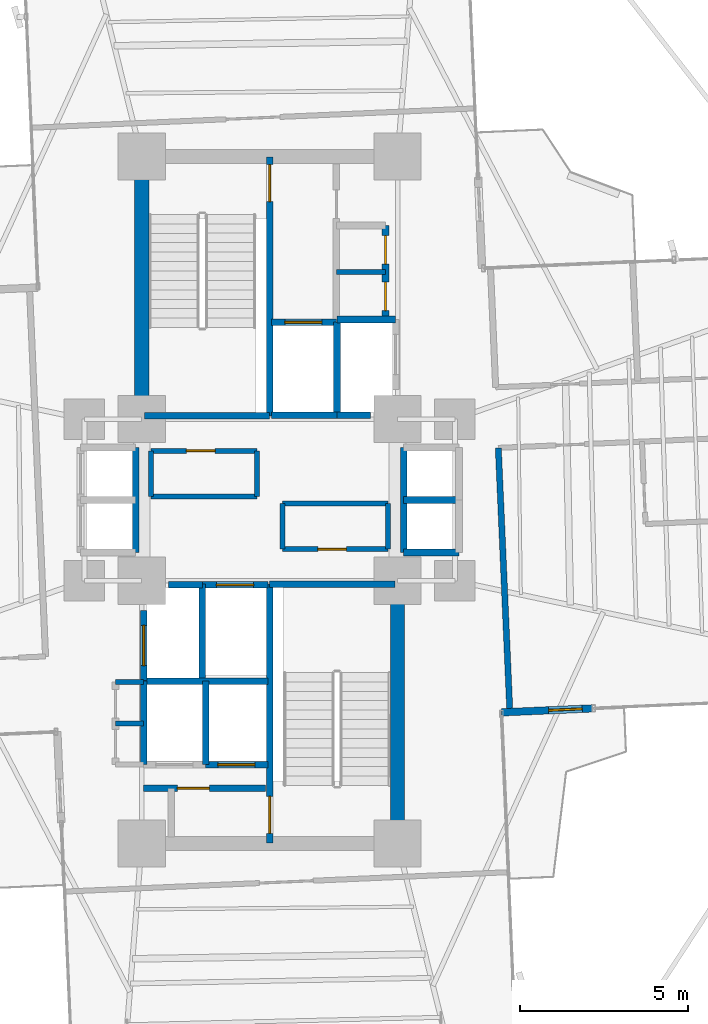
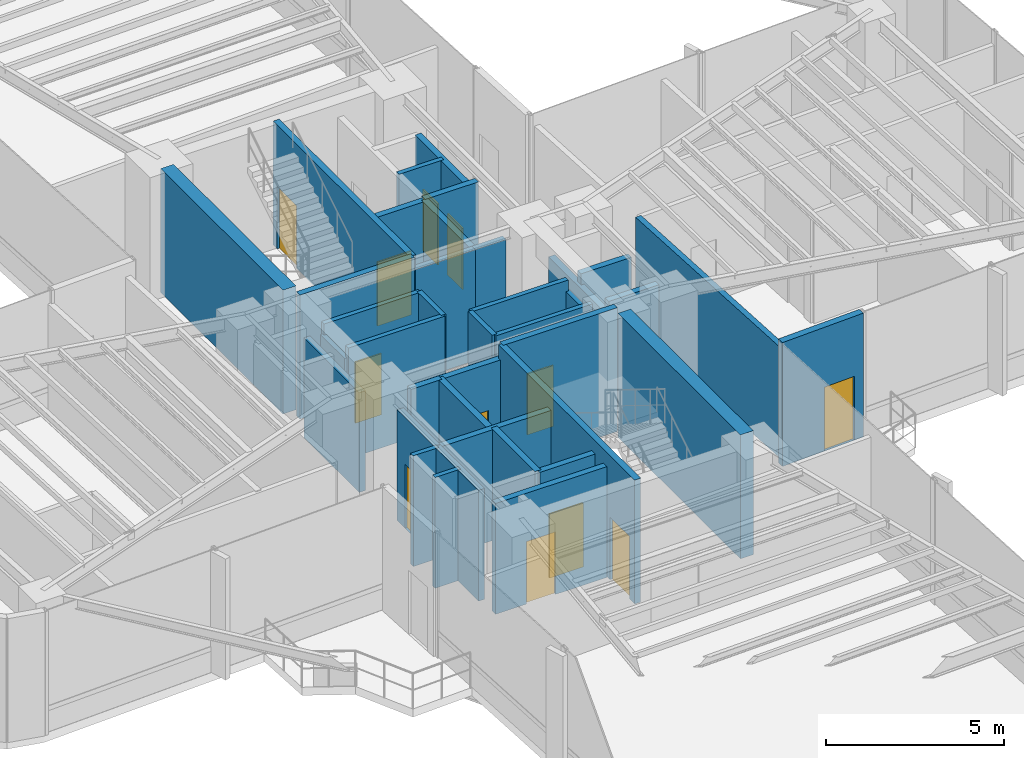
# One storey, part 20 of 23: 38 walls, 12 doors, 12 openings.
"""IFC4 building model written with IfcOpenShell, lengths in metres."""

from ifc_helpers import new_model, si_unit, direction, frame, frame_2d, origin, origin_2d, place, context, subcontext, project, spatial, rectangle, extrude, source, transform, mapped, material, layer, layer_set, type_object, element, fill, save


model = new_model("IFC4")

# Units and contexts
model_context = context("Model", 3, precision=1e-05, world=origin(), true_north=direction((0.0, 1.0)))
body_context = subcontext(model_context, "Body", "Model", "MODEL_VIEW")
ifc_project = project(units=[si_unit("LENGTHUNIT", "METRE"), si_unit("AREAUNIT", "SQUARE_METRE"), si_unit("VOLUMEUNIT", "CUBIC_METRE"), si_unit("PLANEANGLEUNIT", "RADIAN"), si_unit("MASSUNIT", "GRAM", prefix="KILO")], contexts=[model_context])

# Site, building, storey
site_placement = place(None, origin())
site = spatial("IfcSite", under=ifc_project, at=site_placement, CompositionType="ELEMENT")
building_placement = place(site_placement, origin())
building = spatial("IfcBuilding", under=site, at=building_placement, Name="Sahyath Konkavel Grand Hotel", CompositionType="ELEMENT")
storey_placement = place(building_placement, frame((0.0, 0.0, 106.949951171875)))
storey = spatial("IfcBuildingStorey", under=building, at=storey_placement, Name="L29", CompositionType="ELEMENT", Elevation=106.949951171875)

# Walls
ifc_material_1 = material(Name="Concrete C50/60", Category="concrete")
ifc_layer_1 = layer(ifc_material_1, 0.419921875)
ifc_layer_set_1 = layer_set([ifc_layer_1], Name="Concrete C50/60")
wall_type_1 = type_object("IfcWallType", Name="CWALL-420", PredefinedType="SHEAR", material=ifc_layer_set_1)
for number, where, z_axis, x_axis, name in (
    (1, (-3.800048828125, 2.85009765625, 0.0), (0.0, 0.0, 1.0), (0.0, 1.0, 0.0), "L29 North Core Shear Wall W"),
    (2, (3.800048828125, -9.75, 0.0), (0.0, 0.0, 1.0), (0.0, 1.0, 0.0), "L29 South Core Shear Wall E"),
):
    element("IfcWall", number, at=place(storey_placement, frame(where, z_axis=z_axis, x_axis=x_axis)), inside=storey, type_object=wall_type_1, Name=name, PredefinedType="SHEAR", context=body_context, shape_type="SweptSolid", body=[
        extrude(rectangle(XDim=6.89990234375, YDim=0.419921875, at=frame_2d((3.449951171875, 0.0))), origin(), (0.0, 0.0, 1.0), 4.260009765625),
    ])

# Wall, opening, door
ifc_material_2 = material(Name="Warm Buff Sandstone Insulated Concrete C40/50", Category="masonry")
ifc_layer_2 = layer(ifc_material_2, 0.219970703125)
ifc_layer_set_2 = layer_set([ifc_layer_2], Name="Warm Buff Sandstone Insulated Concrete C40/50")
wall_type_2 = type_object("IfcWallType", Name="WLL-BALC-THRESH", PredefinedType="STANDARD", material=ifc_layer_set_2)
wall_1_placement = place(storey_placement, frame((6.881591796875, -6.305908203125, 0.0), z_axis=(0.0, 0.0, 1.0), x_axis=(0.999045894436, 0.043672655174, 0.0)))
wall_1 = element("IfcWall", 3, at=wall_1_placement, inside=storey, type_object=wall_type_2, Name="L29 Winter-Garden Threshold Wall 0", PredefinedType="STANDARD", context=body_context, shape_type="SweptSolid", body=[
    extrude(rectangle(XDim=2.7001953125, YDim=0.219970703125, at=frame_2d((1.35009765625, 0.0))), origin(), (0.0, 0.0, 1.0), 4.260009765625),
])
opening_1_placement = place(wall_1_placement, frame((1.39990234375, 0.0, 0.0)))
opening_1 = element("IfcOpeningElement", 4, at=opening_1_placement, cuts=wall_1, Name="Opening D-TR1", PredefinedType="OPENING", context=body_context, shape_type="SweptSolid", body=[
    extrude(rectangle(XDim=1.0, YDim=2.199951171875, at=frame_2d((0.5, 1.10009765625))), frame((0.0, 0.1201171875, 0.0), z_axis=(0.0, -1.0, 0.0), x_axis=(1.0, 0.0, 0.0)), (0.0, 0.0, 1.0), 0.239990234375),
])
ifc_material_3 = material(Name="Anodised Bronze Aluminium & Low-E Glazing", Category="aluminium")
door_type_1 = type_object("IfcDoorType", Name="DR-TERRACE-1000", OperationType="NOTDEFINED", PredefinedType="DOOR", material=ifc_material_3)
shared_shape_1 = source(origin(), body_context, "Body", "SweptSolid", [
    extrude(rectangle(XDim=1.0, YDim=0.050048828125, at=origin_2d()), origin(), (0.0, 0.0, 1.0), 2.199951171875),
])
door_1_placement = place(opening_1_placement, frame((0.5, 0.0, 0.0)))
door_1 = element("IfcDoor", 5, at=door_1_placement, inside=storey, type_object=door_type_1, Name="L29 Winter-Garden Terrace Door 0", OperationType="SINGLE_SWING_LEFT", OverallHeight=2.199951171875, OverallWidth=1.0, PredefinedType="DOOR", context=body_context, shape_type="MappedRepresentation", body=[
    mapped(shared_shape_1, transform((0.0, 0.0, 0.0), scale=1.0)),
])
fill(opening_1, door_1)

ifc_material_4 = material(Name="Concrete C40/50", Category="concrete")
ifc_layer_3 = layer(ifc_material_4, 0.199951171875)
ifc_layer_set_3 = layer_set([ifc_layer_3], Name="Concrete C40/50")
wall_type_3 = type_object("IfcWallType", Name="WLL-CORE-200", PredefinedType="SOLIDWALL", material=ifc_layer_set_3)
wall_2_placement = place(storey_placement, frame((0.0, 2.5, 0.0), z_axis=(0.0, 0.0, 1.0), x_axis=(0.0, 1.0, 0.0)))
wall_2 = element("IfcWall", 6, at=wall_2_placement, inside=storey, type_object=wall_type_3, Name="L29 Stair ST-1 Shaft Wall E", PredefinedType="SOLIDWALL", context=body_context, shape_type="SweptSolid", body=[
    extrude(rectangle(XDim=7.679931640625, YDim=0.199951171875, at=frame_2d((3.83984375, 0.0))), origin(), (0.0, 0.0, 1.0), 4.260009765625),
])
opening_2_placement = place(wall_2_placement, frame((6.360107421875, 0.0, 0.0)))
opening_2 = element("IfcOpeningElement", 7, at=opening_2_placement, cuts=wall_2, Name="Opening D-F12B", PredefinedType="OPENING", context=body_context, shape_type="SweptSolid", body=[
    extrude(rectangle(XDim=1.10009765625, YDim=2.14990234375, at=frame_2d((0.550048828125, 1.074951171875))), frame((0.0, 0.10986328125, 0.0), z_axis=(0.0, -1.0, 0.0), x_axis=(1.0, 0.0, 0.0)), (0.0, 0.0, 1.0), 0.219970703125),
])
ifc_material_5 = material(Name="Steel E350 Smokeproof Fire Door", Category="steel")
door_type_2 = type_object("IfcDoorType", Name="DR-FD120-1100", OperationType="NOTDEFINED", PredefinedType="DOOR", material=ifc_material_5)
shared_shape_2 = source(origin(), body_context, "Body", "SweptSolid", [
    extrude(rectangle(XDim=1.10009765625, YDim=0.050048828125, at=origin_2d()), origin(), (0.0, 0.0, 1.0), 2.14990234375),
])
door_2_placement = place(opening_2_placement, frame((0.550048828125, 0.0, 0.0)))
door_2 = element("IfcDoor", 8, at=door_2_placement, inside=storey, type_object=door_type_2, Name="L29 Stair ST-1 Fire Door", OperationType="SINGLE_SWING_LEFT", OverallHeight=2.14990234375, OverallWidth=1.10009765625, PredefinedType="DOOR", context=body_context, shape_type="MappedRepresentation", body=[
    mapped(shared_shape_2, transform((0.0, 0.0, 0.0), scale=1.0)),
])
fill(opening_2, door_2)

# Wall
wall_3_placement = place(storey_placement, frame((-3.719970703125, 2.5, 0.0), z_axis=(0.0, 0.0, 1.0), x_axis=(1.0, 0.0, 0.0)))
element("IfcWall", 9, at=wall_3_placement, inside=storey, type_object=wall_type_3, Name="L29 Stair ST-1 Shaft Wall S", PredefinedType="SOLIDWALL", context=body_context, shape_type="SweptSolid", body=[
    extrude(rectangle(XDim=3.719970703125, YDim=0.199951171875, at=frame_2d((1.85986328125, 0.0))), origin(), (0.0, 0.0, 1.0), 4.260009765625),
])

# Wall, opening, door
wall_4_placement = place(storey_placement, frame((0.0, -10.179931640625, 0.0), z_axis=(0.0, 0.0, 1.0), x_axis=(0.0, 1.0, 0.0)))
wall_4 = element("IfcWall", 10, at=wall_4_placement, inside=storey, type_object=wall_type_3, Name="L29 Stair ST-2 Shaft Wall W", PredefinedType="SOLIDWALL", context=body_context, shape_type="SweptSolid", body=[
    extrude(rectangle(XDim=7.679931640625, YDim=0.199951171875, at=frame_2d((3.83984375, 0.0))), origin(), (0.0, 0.0, 1.0), 4.260009765625),
])
opening_3_placement = place(wall_4_placement, frame((0.280029296875, 0.0, 0.0)))
opening_3 = element("IfcOpeningElement", 11, at=opening_3_placement, cuts=wall_4, Name="Opening D-F12B", PredefinedType="OPENING", context=body_context, shape_type="SweptSolid", body=[
    extrude(rectangle(XDim=1.10009765625, YDim=2.14990234375, at=frame_2d((0.550048828125, 1.074951171875))), frame((0.0, 0.10986328125, 0.0), z_axis=(0.0, -1.0, 0.0), x_axis=(1.0, 0.0, 0.0)), (0.0, 0.0, 1.0), 0.219970703125),
])
door_3_placement = place(opening_3_placement, frame((0.550048828125, 0.0, 0.0)))
door_3 = element("IfcDoor", 12, at=door_3_placement, inside=storey, type_object=door_type_2, Name="L29 Stair ST-2 Fire Door", OperationType="SINGLE_SWING_RIGHT", OverallHeight=2.14990234375, OverallWidth=1.10009765625, PredefinedType="DOOR", context=body_context, shape_type="MappedRepresentation", body=[
    mapped(shared_shape_2, transform((0.0, 0.0, 0.0), scale=1.0)),
])
fill(opening_3, door_3)

# Walls
wall_5_placement = place(storey_placement, frame((0.0, -2.5, 0.0), z_axis=(0.0, 0.0, 1.0), x_axis=(1.0, 0.0, 0.0)))
element("IfcWall", 13, at=wall_5_placement, inside=storey, type_object=wall_type_3, Name="L29 Stair ST-2 Shaft Wall N", PredefinedType="SOLIDWALL", context=body_context, shape_type="SweptSolid", body=[
    extrude(rectangle(XDim=3.719970703125, YDim=0.199951171875, at=frame_2d((1.85986328125, 0.0))), origin(), (0.0, 0.0, 1.0), 4.260009765625),
])
wall_6_placement = place(storey_placement, frame((2.0, 2.5, 0.0), z_axis=(0.0, 0.0, 1.0), x_axis=(0.0, 1.0, 0.0)))
element("IfcWall", 14, at=wall_6_placement, inside=storey, type_object=wall_type_3, Name="L29 Partition SH-FFL1-E", PredefinedType="SOLIDWALL", context=body_context, shape_type="SweptSolid", body=[
    extrude(rectangle(XDim=2.780029296875, YDim=0.199951171875, at=frame_2d((1.39013671875, 0.0))), origin(), (0.0, 0.0, 1.0), 3.81005859375),
])
wall_7_placement = place(storey_placement, frame((0.050048828125, 2.52001953125, 0.0), z_axis=(0.0, 0.0, 1.0), x_axis=(1.0, 0.0, 0.0)))
element("IfcWall", 15, at=wall_7_placement, inside=storey, type_object=wall_type_3, Name="L29 Partition SH-FFL1-S", PredefinedType="SOLIDWALL", context=body_context, shape_type="SweptSolid", body=[
    extrude(rectangle(XDim=1.949951171875, YDim=0.199951171875, at=frame_2d((0.97509765625, 0.0))), origin(), (0.0, 0.0, 1.0), 3.81005859375),
])

# Wall, opening, door
wall_8_placement = place(storey_placement, frame((0.050048828125, 5.280029296875, 0.0), z_axis=(0.0, 0.0, 1.0), x_axis=(1.0, 0.0, 0.0)))
wall_8 = element("IfcWall", 16, at=wall_8_placement, inside=storey, type_object=wall_type_3, Name="L29 Partition SH-FFL1-N", PredefinedType="SOLIDWALL", context=body_context, shape_type="SweptSolid", body=[
    extrude(rectangle(XDim=1.929931640625, YDim=0.199951171875, at=frame_2d((0.96484375, 0.0))), origin(), (0.0, 0.0, 1.0), 3.81005859375),
])
opening_4_placement = place(wall_8_placement, frame((0.39990234375, 0.0, 0.0)))
opening_4 = element("IfcOpeningElement", 17, at=opening_4_placement, cuts=wall_8, Name="Opening LD-11", PredefinedType="OPENING", context=body_context, shape_type="SweptSolid", body=[
    extrude(rectangle(XDim=1.10009765625, YDim=2.199951171875, at=frame_2d((0.550048828125, 1.10009765625))), frame((0.0, 0.10986328125, 0.0), z_axis=(0.0, -1.0, 0.0), x_axis=(1.0, 0.0, 0.0)), (0.0, 0.0, 1.0), 0.219970703125),
])
ifc_material_6 = material(Name="Bronze Lift Landing Door 1100")
door_type_3 = type_object("IfcDoorType", Name="DR-LIFT-1100", OperationType="DOUBLE_DOOR_SLIDING", PredefinedType="DOOR", material=ifc_material_6)
shared_shape_3 = source(origin(), body_context, "Body", "SweptSolid", [
    extrude(rectangle(XDim=1.10009765625, YDim=0.050048828125, at=origin_2d()), origin(), (0.0, 0.0, 1.0), 2.199951171875),
])
door_4_placement = place(opening_4_placement, frame((0.550048828125, 0.0, 0.0)))
door_4 = element("IfcDoor", 18, at=door_4_placement, inside=storey, type_object=door_type_3, Name="L29 Lift FFL-1 Landing Door", OperationType="DOUBLE_DOOR_SLIDING", OverallHeight=2.199951171875, OverallWidth=1.10009765625, PredefinedType="DOOR", context=body_context, shape_type="MappedRepresentation", body=[
    mapped(shared_shape_3, transform((0.0, 0.0, 0.0), scale=1.0)),
])
fill(opening_4, door_4)

# Wall
wall_9_placement = place(storey_placement, frame((-2.0, -5.280029296875, 0.0), z_axis=(0.0, 0.0, 1.0), x_axis=(0.0, 1.0, 0.0)))
element("IfcWall", 19, at=wall_9_placement, inside=storey, type_object=wall_type_3, Name="L29 Partition SH-FFL2-W", PredefinedType="SOLIDWALL", context=body_context, shape_type="SweptSolid", body=[
    extrude(rectangle(XDim=2.780029296875, YDim=0.199951171875, at=frame_2d((1.39013671875, 0.0))), origin(), (0.0, 0.0, 1.0), 3.81005859375),
])

# Wall, opening, door
wall_10_placement = place(storey_placement, frame((-2.0, -2.52001953125, 0.0), z_axis=(0.0, 0.0, 1.0), x_axis=(1.0, 0.0, 0.0)))
wall_10 = element("IfcWall", 20, at=wall_10_placement, inside=storey, type_object=wall_type_3, Name="L29 Partition SH-FFL2-N", PredefinedType="SOLIDWALL", context=body_context, shape_type="SweptSolid", body=[
    extrude(rectangle(XDim=1.949951171875, YDim=0.199951171875, at=frame_2d((0.97509765625, 0.0))), origin(), (0.0, 0.0, 1.0), 3.81005859375),
])
opening_5_placement = place(wall_10_placement, frame((0.419921875, 0.0, 0.0)))
opening_5 = element("IfcOpeningElement", 21, at=opening_5_placement, cuts=wall_10, Name="Opening LD-11", PredefinedType="OPENING", context=body_context, shape_type="SweptSolid", body=[
    extrude(rectangle(XDim=1.10009765625, YDim=2.199951171875, at=frame_2d((0.550048828125, 1.10009765625))), frame((0.0, 0.10986328125, 0.0), z_axis=(0.0, -1.0, 0.0), x_axis=(1.0, 0.0, 0.0)), (0.0, 0.0, 1.0), 0.219970703125),
])
door_5_placement = place(opening_5_placement, frame((0.550048828125, 0.0, 0.0)))
door_5 = element("IfcDoor", 22, at=door_5_placement, inside=storey, type_object=door_type_3, Name="L29 Lift FFL-2 Landing Door", OperationType="DOUBLE_DOOR_SLIDING", OverallHeight=2.199951171875, OverallWidth=1.10009765625, PredefinedType="DOOR", context=body_context, shape_type="MappedRepresentation", body=[
    mapped(shared_shape_3, transform((0.0, 0.0, 0.0), scale=1.0)),
])
fill(opening_5, door_5)

# Walls
wall_11_placement = place(storey_placement, frame((2.0, 2.52001953125, 0.0), z_axis=(0.0, 0.0, 1.0), x_axis=(1.0, 0.0, 0.0)))
element("IfcWall", 23, at=wall_11_placement, inside=storey, type_object=wall_type_3, Name="L29 Partition SH-SVL1-S", PredefinedType="SOLIDWALL", context=body_context, shape_type="SweptSolid", body=[
    extrude(rectangle(XDim=1.0, YDim=0.199951171875, at=frame_2d((0.5, 0.0))), origin(), (0.0, 0.0, 1.0), 3.81005859375),
])
wall_12_placement = place(storey_placement, frame((2.0, 5.360107421875, 0.0), z_axis=(0.0, 0.0, 1.0), x_axis=(1.0, 0.0, 0.0)))
element("IfcWall", 24, at=wall_12_placement, inside=storey, type_object=wall_type_3, Name="L29 Partition SH-SVL1-N", PredefinedType="SOLIDWALL", context=body_context, shape_type="SweptSolid", body=[
    extrude(rectangle(XDim=1.739990234375, YDim=0.199951171875, at=frame_2d((0.8701171875, 0.0))), origin(), (0.0, 0.0, 1.0), 3.81005859375),
])
wall_13_placement = place(storey_placement, frame((-3.0, -2.52001953125, 0.0), z_axis=(0.0, 0.0, 1.0), x_axis=(1.0, 0.0, 0.0)))
element("IfcWall", 25, at=wall_13_placement, inside=storey, type_object=wall_type_3, Name="L29 Partition SH-SVL2-N", PredefinedType="SOLIDWALL", context=body_context, shape_type="SweptSolid", body=[
    extrude(rectangle(XDim=1.0, YDim=0.199951171875, at=frame_2d((0.5, 0.0))), origin(), (0.0, 0.0, 1.0), 3.81005859375),
])

# Wall, opening, door
wall_14_placement = place(storey_placement, frame((-3.739990234375, -5.360107421875, 0.0), z_axis=(0.0, 0.0, 1.0), x_axis=(0.0, 1.0, 0.0)))
wall_14 = element("IfcWall", 26, at=wall_14_placement, inside=storey, type_object=wall_type_3, Name="L29 Partition SH-SVL2-W", PredefinedType="SOLIDWALL", context=body_context, shape_type="SweptSolid", body=[
    extrude(rectangle(XDim=2.080078125, YDim=0.199951171875, at=frame_2d((1.0400390625, 0.0))), origin(), (0.0, 0.0, 1.0), 3.81005859375),
])
opening_6_placement = place(wall_14_placement, frame((0.43994140625, 0.0, 0.0)))
opening_6 = element("IfcOpeningElement", 27, at=opening_6_placement, cuts=wall_14, Name="Opening LD-12", PredefinedType="OPENING", context=body_context, shape_type="SweptSolid", body=[
    extrude(rectangle(XDim=1.199951171875, YDim=2.199951171875, at=frame_2d((0.60009765625, 1.10009765625))), frame((0.0, 0.10986328125, 0.0), z_axis=(0.0, -1.0, 0.0), x_axis=(1.0, 0.0, 0.0)), (0.0, 0.0, 1.0), 0.219970703125),
])
ifc_material_7 = material(Name="Stainless Steel Lift Landing Door 1200", Category="steel")
door_type_4 = type_object("IfcDoorType", Name="DR-LIFT-1200", OperationType="DOUBLE_DOOR_SLIDING", PredefinedType="DOOR", material=ifc_material_7)
shared_shape_4 = source(origin(), body_context, "Body", "SweptSolid", [
    extrude(rectangle(XDim=1.199951171875, YDim=0.050048828125, at=origin_2d()), origin(), (0.0, 0.0, 1.0), 2.199951171875),
])
door_6_placement = place(opening_6_placement, frame((0.60009765625, 0.0, 0.0)))
door_6 = element("IfcDoor", 28, at=door_6_placement, inside=storey, type_object=door_type_4, Name="L29 Service Lift SVL-2 Landing Door", OperationType="DOUBLE_DOOR_SLIDING", OverallHeight=2.199951171875, OverallWidth=1.199951171875, PredefinedType="DOOR", context=body_context, shape_type="MappedRepresentation", body=[
    mapped(shared_shape_4, transform((0.0, 0.0, 0.0), scale=1.0)),
])
fill(opening_6, door_6)

# Walls
wall_15_placement = place(storey_placement, frame((-3.739990234375, -7.860107421875, 0.0), z_axis=(0.0, 0.0, 1.0), x_axis=(0.0, 1.0, 0.0)))
element("IfcWall", 29, at=wall_15_placement, inside=storey, type_object=wall_type_3, Name="L29 Partition SH-PL3-W", PredefinedType="SOLIDWALL", context=body_context, shape_type="SweptSolid", body=[
    extrude(rectangle(XDim=2.480224609375, YDim=0.199951171875, at=frame_2d((1.240234375, 0.0))), origin(), (0.0, 0.0, 1.0), 3.81005859375),
])
wall_16_placement = place(storey_placement, frame((-3.739990234375, -5.3798828125, 0.0), z_axis=(0.0, 0.0, 1.0), x_axis=(1.0, 0.0, 0.0)))
element("IfcWall", 30, at=wall_16_placement, inside=storey, type_object=wall_type_3, Name="L29 Partition SH-PL34-N", PredefinedType="SOLIDWALL", context=body_context, shape_type="SweptSolid", body=[
    extrude(rectangle(XDim=3.68994140625, YDim=0.199951171875, at=frame_2d((1.844970703125, 0.0))), origin(), (0.0, 0.0, 1.0), 3.81005859375),
])
wall_17_placement = place(storey_placement, frame((-1.89990234375, -7.860107421875, 0.0), z_axis=(0.0, 0.0, 1.0), x_axis=(0.0, 1.0, 0.0)))
element("IfcWall", 31, at=wall_17_placement, inside=storey, type_object=wall_type_3, Name="L29 Partition SH-PL34-M", PredefinedType="SOLIDWALL", context=body_context, shape_type="SweptSolid", body=[
    extrude(rectangle(XDim=2.480224609375, YDim=0.199951171875, at=frame_2d((1.240234375, 0.0))), origin(), (0.0, 0.0, 1.0), 3.81005859375),
])

# Wall, opening, door
wall_18_placement = place(storey_placement, frame((-1.89990234375, -7.860107421875, 0.0), z_axis=(0.0, 0.0, 1.0), x_axis=(1.0, 0.0, 0.0)))
wall_18 = element("IfcWall", 32, at=wall_18_placement, inside=storey, type_object=wall_type_3, Name="L29 Partition SH-PL4-S", PredefinedType="SOLIDWALL", context=body_context, shape_type="SweptSolid", body=[
    extrude(rectangle(XDim=1.849853515625, YDim=0.199951171875, at=frame_2d((0.9248046875, 0.0))), origin(), (0.0, 0.0, 1.0), 3.81005859375),
])
opening_7_placement = place(wall_18_placement, frame((0.360107421875, 0.0, 0.0)))
opening_7 = element("IfcOpeningElement", 33, at=opening_7_placement, cuts=wall_18, Name="Opening LD-11", PredefinedType="OPENING", context=body_context, shape_type="SweptSolid", body=[
    extrude(rectangle(XDim=1.10009765625, YDim=2.199951171875, at=frame_2d((0.550048828125, 1.10009765625))), frame((0.0, 0.10986328125, 0.0), z_axis=(0.0, -1.0, 0.0), x_axis=(1.0, 0.0, 0.0)), (0.0, 0.0, 1.0), 0.219970703125),
])
door_7_placement = place(opening_7_placement, frame((0.550048828125, 0.0, 0.0)))
door_7 = element("IfcDoor", 34, at=door_7_placement, inside=storey, type_object=door_type_3, Name="L29 Passenger Lift PL-4 Landing Door", OperationType="DOUBLE_DOOR_SLIDING", OverallHeight=2.199951171875, OverallWidth=1.10009765625, PredefinedType="DOOR", context=body_context, shape_type="MappedRepresentation", body=[
    mapped(shared_shape_3, transform((0.0, 0.0, 0.0), scale=1.0)),
])
fill(opening_7, door_7)

# Walls
wall_19_placement = place(storey_placement, frame((3.97998046875, -1.56005859375, 0.0), z_axis=(0.0, 0.0, 1.0), x_axis=(0.0, 1.0, 0.0)))
element("IfcWall", 35, at=wall_19_placement, inside=storey, type_object=wall_type_3, Name="L29 Partition SH-PL56-W", PredefinedType="SOLIDWALL", context=body_context, shape_type="SweptSolid", body=[
    extrude(rectangle(XDim=3.1201171875, YDim=0.199951171875, at=frame_2d((1.56005859375, 0.0))), origin(), (0.0, 0.0, 1.0), 3.429931640625),
])
for number, where, z_axis, x_axis, name in (
    (36, (3.97998046875, -1.56005859375, 0.0), (0.0, 0.0, 1.0), (1.0, 0.0, 0.0), "L29 Partition SH-PL56-S"),
    (37, (3.97998046875, 0.0, 0.0), (0.0, 0.0, 1.0), (1.0, 0.0, 0.0), "L29 Partition SH-PL56-M"),
):
    element("IfcWall", number, at=place(storey_placement, frame(where, z_axis=z_axis, x_axis=x_axis)), inside=storey, type_object=wall_type_3, Name=name, PredefinedType="SOLIDWALL", context=body_context, shape_type="SweptSolid", body=[
        extrude(rectangle(XDim=1.64013671875, YDim=0.199951171875, at=frame_2d((0.820068359375, 0.0))), origin(), (0.0, 0.0, 1.0), 3.81005859375),
    ])
wall_20_placement = place(storey_placement, frame((-3.97998046875, -1.56005859375, 0.0), z_axis=(0.0, 0.0, 1.0), x_axis=(0.0, 1.0, 0.0)))
element("IfcWall", 38, at=wall_20_placement, inside=storey, type_object=wall_type_3, Name="L29 Partition SH-SL12-E", PredefinedType="SOLIDWALL", context=body_context, shape_type="SweptSolid", body=[
    extrude(rectangle(XDim=3.1201171875, YDim=0.199951171875, at=frame_2d((1.56005859375, 0.0))), origin(), (0.0, 0.0, 1.0), 3.429931640625),
])

# Wall, opening, door
wall_21_placement = place(storey_placement, frame((-3.739990234375, -8.56005859375, 0.0), z_axis=(0.0, 0.0, 1.0), x_axis=(1.0, 0.0, 0.0)))
wall_21 = element("IfcWall", 39, at=wall_21_placement, inside=storey, type_object=wall_type_3, Name="L29 South FF Lobby Separation Wall", PredefinedType="SOLIDWALL", context=body_context, shape_type="SweptSolid", body=[
    extrude(rectangle(XDim=3.619873046875, YDim=0.199951171875, at=frame_2d((1.81005859375, 0.0))), origin(), (0.0, 0.0, 1.0), 3.81005859375),
])
opening_8_placement = place(wall_21_placement, frame((1.0, 0.0, 0.0)))
opening_8 = element("IfcOpeningElement", 40, at=opening_8_placement, cuts=wall_21, Name="Opening D-F12C", PredefinedType="OPENING", context=body_context, shape_type="SweptSolid", body=[
    extrude(rectangle(XDim=0.949951171875, YDim=2.14990234375, at=frame_2d((0.47509765625, 1.074951171875))), frame((0.0, 0.10986328125, 0.0), z_axis=(0.0, -1.0, 0.0), x_axis=(1.0, 0.0, 0.0)), (0.0, 0.0, 1.0), 0.219970703125),
])
ifc_material_8 = material(Name="Steel E350 Plant Fire Door", Category="steel")
door_type_5 = type_object("IfcDoorType", Name="DR-FD120-950", OperationType="NOTDEFINED", PredefinedType="DOOR", material=ifc_material_8)
shared_shape_5 = source(origin(), body_context, "Body", "SweptSolid", [
    extrude(rectangle(XDim=0.949951171875, YDim=0.050048828125, at=origin_2d()), origin(), (0.0, 0.0, 1.0), 2.14990234375),
])
door_8_placement = place(opening_8_placement, frame((0.47509765625, 0.0, 0.0)))
door_8 = element("IfcDoor", 41, at=door_8_placement, inside=storey, type_object=door_type_5, Name="L29 South Firefighting Lobby Door", OperationType="SINGLE_SWING_LEFT", OverallHeight=2.14990234375, OverallWidth=0.949951171875, PredefinedType="DOOR", context=body_context, shape_type="MappedRepresentation", body=[
    mapped(shared_shape_5, transform((0.0, 0.0, 0.0), scale=1.0)),
])
fill(opening_8, door_8)

# Wall, openings, doors
wall_22_placement = place(storey_placement, frame((3.43994140625, 5.3798828125, 0.0), z_axis=(0.0, 0.0, 1.0), x_axis=(0.0, 1.0, 0.0)))
wall_22 = element("IfcWall", 42, at=wall_22_placement, inside=storey, type_object=wall_type_3, Name="L29 Reclaimed North Core Wall E", PredefinedType="SOLIDWALL", context=body_context, shape_type="SweptSolid", body=[
    extrude(rectangle(XDim=2.77001953125, YDim=0.199951171875, at=frame_2d((1.385009765625, 0.0))), origin(), (0.0, 0.0, 1.0), 3.81005859375),
])
opening_9_placement = place(wall_22_placement, frame((0.239990234375, 0.0, 0.0)))
opening_9 = element("IfcOpeningElement", 43, at=opening_9_placement, cuts=wall_22, Name="Opening D-F06D", PredefinedType="OPENING", context=body_context, shape_type="SweptSolid", body=[
    extrude(rectangle(XDim=0.85009765625, YDim=2.10009765625, at=frame_2d((0.425048828125, 1.050048828125))), frame((0.0, 0.10986328125, 0.0), z_axis=(0.0, -1.0, 0.0), x_axis=(1.0, 0.0, 0.0)), (0.0, 0.0, 1.0), 0.219970703125),
])
opening_10_placement = place(wall_22_placement, frame((1.6201171875, 0.0, 0.0)))
opening_10 = element("IfcOpeningElement", 44, at=opening_10_placement, cuts=wall_22, Name="Opening D-F06D", PredefinedType="OPENING", context=body_context, shape_type="SweptSolid", body=[
    extrude(rectangle(XDim=0.85009765625, YDim=2.10009765625, at=frame_2d((0.425048828125, 1.050048828125))), frame((0.0, 0.10986328125, 0.0), z_axis=(0.0, -1.0, 0.0), x_axis=(1.0, 0.0, 0.0)), (0.0, 0.0, 1.0), 0.219970703125),
])
ifc_material_9 = material(Name="Fire-Rated Shaft Access Door")
door_type_6 = type_object("IfcDoorType", Name="DR-FD60-850", OperationType="NOTDEFINED", PredefinedType="DOOR", material=ifc_material_9)
shared_shape_6 = source(origin(), body_context, "Body", "SweptSolid", [
    extrude(rectangle(XDim=0.85009765625, YDim=0.050048828125, at=origin_2d()), origin(), (0.0, 0.0, 1.0), 2.10009765625),
])
door_9_placement = place(opening_9_placement, frame((0.425048828125, 0.0, 0.0)))
door_9 = element("IfcDoor", 45, at=door_9_placement, inside=storey, type_object=door_type_6, Name="L29 Door NC-REC1-D", OperationType="SINGLE_SWING_RIGHT", OverallHeight=2.10009765625, OverallWidth=0.85009765625, PredefinedType="DOOR", context=body_context, shape_type="MappedRepresentation", body=[
    mapped(shared_shape_6, transform((0.0, 0.0, 0.0), scale=1.0)),
])
fill(opening_9, door_9)
door_10_placement = place(opening_10_placement, frame((0.425048828125, 0.0, 0.0)))
door_10 = element("IfcDoor", 46, at=door_10_placement, inside=storey, type_object=door_type_6, Name="L29 Door NC-REC2-D", OperationType="SINGLE_SWING_LEFT", OverallHeight=2.10009765625, OverallWidth=0.85009765625, PredefinedType="DOOR", context=body_context, shape_type="MappedRepresentation", body=[
    mapped(shared_shape_6, transform((0.0, 0.0, 0.0), scale=1.0)),
])
fill(opening_10, door_10)

# Walls
ifc_material_10 = material(Name="Twin-Stud Acoustic Gypsum Plasterboard Partition")
ifc_layer_4 = layer(ifc_material_10, 0.179931640625)
ifc_layer_set_4 = layer_set([ifc_layer_4], Name="Twin-Stud Acoustic Gypsum Plasterboard Partition")
wall_type_4 = type_object("IfcWallType", Name="WLL-DEMISE-180", PredefinedType="PARTITIONING", material=ifc_layer_set_4)
wall_23_placement = place(storey_placement, frame((7.129150390625, -6.2451171875, 0.0), z_axis=(0.0, 0.0, 1.0), x_axis=(-0.043600217373, 0.999049058378, 0.0)))
element("IfcWall", 47, at=wall_23_placement, inside=storey, type_object=wall_type_4, Name="L29 Partition E-INR", PredefinedType="PARTITIONING", context=body_context, shape_type="SweptSolid", body=[
    extrude(rectangle(XDim=7.800048828125, YDim=0.179931640625, at=frame_2d((3.89990234375, 0.0))), origin(), (0.0, 0.0, 1.0), 3.81005859375),
])
ifc_material_11 = material(Name="Fire-Rated Gypsum Plasterboard Partition")
ifc_layer_5 = layer(ifc_material_11, 0.14990234375)
ifc_layer_set_5 = layer_set([ifc_layer_5], Name="Fire-Rated Gypsum Plasterboard Partition")
wall_type_5 = type_object("IfcWallType", Name="WLL-PART-150", PredefinedType="PARTITIONING", material=ifc_layer_set_5)
wall_24_placement = place(storey_placement, frame((1.97998046875, 6.77001953125, 0.0), z_axis=(0.0, 0.0, 1.0), x_axis=(1.0, 0.0, 0.0)))
element("IfcWall", 48, at=wall_24_placement, inside=storey, type_object=wall_type_5, Name="L29 Partition NC-REC-M1", PredefinedType="PARTITIONING", context=body_context, shape_type="SweptSolid", body=[
    extrude(rectangle(XDim=1.4599609375, YDim=0.14990234375, at=frame_2d((0.72998046875, 0.0))), origin(), (0.0, 0.0, 1.0), 3.81005859375),
])
for number, where, z_axis, x_axis, name in (
    (49, (-4.580078125, -5.39990234375, 0.0), (0.0, 0.0, 1.0), (1.0, 0.0, 0.0), "L29 Partition SC-FLK-N"),
    (50, (-4.580078125, -6.6298828125, 0.0), (0.0, 0.0, 1.0), (1.0, 0.0, 0.0), "L29 Partition SC-FLK-M"),
):
    element("IfcWall", number, at=place(storey_placement, frame(where, z_axis=z_axis, x_axis=x_axis)), inside=storey, type_object=wall_type_5, Name=name, PredefinedType="PARTITIONING", context=body_context, shape_type="SweptSolid", body=[
        extrude(rectangle(XDim=0.840087890625, YDim=0.14990234375, at=frame_2d((0.419921875, 0.0))), origin(), (0.0, 0.0, 1.0), 3.81005859375),
    ])
wall_25_placement = place(storey_placement, frame((-3.52001953125, 0.10009765625, 0.0), z_axis=(0.0, 0.0, 1.0), x_axis=(1.0, 0.0, 0.0)))
element("IfcWall", 51, at=wall_25_placement, inside=storey, type_object=wall_type_5, Name="L29 Partition CC-3NWS", PredefinedType="PARTITIONING", context=body_context, shape_type="SweptSolid", body=[
    extrude(rectangle(XDim=3.14013671875, YDim=0.14990234375, at=frame_2d((1.570068359375, 0.0))), origin(), (0.0, 0.0, 1.0), 3.81005859375),
])

# Wall, opening, door
wall_26_placement = place(storey_placement, frame((-3.52001953125, 1.4599609375, 0.0), z_axis=(0.0, 0.0, 1.0), x_axis=(1.0, 0.0, 0.0)))
wall_26 = element("IfcWall", 52, at=wall_26_placement, inside=storey, type_object=wall_type_5, Name="L29 Partition CC-3NWN", PredefinedType="PARTITIONING", context=body_context, shape_type="SweptSolid", body=[
    extrude(rectangle(XDim=3.14013671875, YDim=0.14990234375, at=frame_2d((1.570068359375, 0.0))), origin(), (0.0, 0.0, 1.0), 3.81005859375),
])
opening_11_placement = place(wall_26_placement, frame((1.050048828125, 0.0, 0.0)))
opening_11 = element("IfcOpeningElement", 53, at=opening_11_placement, cuts=wall_26, Name="Opening D-F06D", PredefinedType="OPENING", context=body_context, shape_type="SweptSolid", body=[
    extrude(rectangle(XDim=0.85009765625, YDim=2.10009765625, at=frame_2d((0.425048828125, 1.050048828125))), frame((0.0, 0.0849609375, 0.0), z_axis=(0.0, -1.0, 0.0), x_axis=(1.0, 0.0, 0.0)), (0.0, 0.0, 1.0), 0.169921875),
])
door_11_placement = place(opening_11_placement, frame((0.425048828125, 0.0, 0.0)))
door_11 = element("IfcDoor", 54, at=door_11_placement, inside=storey, type_object=door_type_6, Name="L29 Door CC-D3NW", OperationType="SINGLE_SWING_RIGHT", OverallHeight=2.10009765625, OverallWidth=0.85009765625, PredefinedType="DOOR", context=body_context, shape_type="MappedRepresentation", body=[
    mapped(shared_shape_6, transform((0.0, 0.0, 0.0), scale=1.0)),
])
fill(opening_11, door_11)

# Walls
wall_27_placement = place(storey_placement, frame((-3.52001953125, 0.10009765625, 0.0), z_axis=(0.0, 0.0, 1.0), x_axis=(0.0, 1.0, 0.0)))
element("IfcWall", 55, at=wall_27_placement, inside=storey, type_object=wall_type_5, Name="L29 Partition CC-3NWW", PredefinedType="PARTITIONING", context=body_context, shape_type="SweptSolid", body=[
    extrude(rectangle(XDim=1.35986328125, YDim=0.14990234375, at=frame_2d((0.679931640625, 0.0))), origin(), (0.0, 0.0, 1.0), 3.429931640625),
])
wall_28_placement = place(storey_placement, frame((-0.3798828125, 0.10009765625, 0.0), z_axis=(0.0, 0.0, 1.0), x_axis=(0.0, 1.0, 0.0)))
element("IfcWall", 56, at=wall_28_placement, inside=storey, type_object=wall_type_5, Name="L29 Partition CC-3NWE", PredefinedType="PARTITIONING", context=body_context, shape_type="SweptSolid", body=[
    extrude(rectangle(XDim=1.35986328125, YDim=0.14990234375, at=frame_2d((0.679931640625, 0.0))), origin(), (0.0, 0.0, 1.0), 3.81005859375),
])
wall_29_placement = place(storey_placement, frame((0.3798828125, -0.10009765625, 0.0), z_axis=(0.0, 0.0, 1.0), x_axis=(1.0, 0.0, 0.0)))
element("IfcWall", 57, at=wall_29_placement, inside=storey, type_object=wall_type_5, Name="L29 Partition CC-3SEN", PredefinedType="PARTITIONING", context=body_context, shape_type="SweptSolid", body=[
    extrude(rectangle(XDim=3.14013671875, YDim=0.14990234375, at=frame_2d((1.570068359375, 0.0))), origin(), (0.0, 0.0, 1.0), 3.81005859375),
])

# Wall, opening, door
wall_30_placement = place(storey_placement, frame((0.3798828125, -1.4599609375, 0.0), z_axis=(0.0, 0.0, 1.0), x_axis=(1.0, 0.0, 0.0)))
wall_30 = element("IfcWall", 58, at=wall_30_placement, inside=storey, type_object=wall_type_5, Name="L29 Partition CC-3SES", PredefinedType="PARTITIONING", context=body_context, shape_type="SweptSolid", body=[
    extrude(rectangle(XDim=3.14013671875, YDim=0.14990234375, at=frame_2d((1.570068359375, 0.0))), origin(), (0.0, 0.0, 1.0), 3.81005859375),
])
opening_12_placement = place(wall_30_placement, frame((1.050048828125, 0.0, 0.0)))
opening_12 = element("IfcOpeningElement", 59, at=opening_12_placement, cuts=wall_30, Name="Opening D-F06D", PredefinedType="OPENING", context=body_context, shape_type="SweptSolid", body=[
    extrude(rectangle(XDim=0.85009765625, YDim=2.10009765625, at=frame_2d((0.425048828125, 1.050048828125))), frame((0.0, 0.0849609375, 0.0), z_axis=(0.0, -1.0, 0.0), x_axis=(1.0, 0.0, 0.0)), (0.0, 0.0, 1.0), 0.169921875),
])
door_12_placement = place(opening_12_placement, frame((0.425048828125, 0.0, 0.0)))
door_12 = element("IfcDoor", 60, at=door_12_placement, inside=storey, type_object=door_type_6, Name="L29 Door CC-D3SE", OperationType="SINGLE_SWING_LEFT", OverallHeight=2.10009765625, OverallWidth=0.85009765625, PredefinedType="DOOR", context=body_context, shape_type="MappedRepresentation", body=[
    mapped(shared_shape_6, transform((0.0, 0.0, 0.0), scale=1.0)),
])
fill(opening_12, door_12)

# Walls
wall_31_placement = place(storey_placement, frame((0.3798828125, -1.4599609375, 0.0), z_axis=(0.0, 0.0, 1.0), x_axis=(0.0, 1.0, 0.0)))
element("IfcWall", 61, at=wall_31_placement, inside=storey, type_object=wall_type_5, Name="L29 Partition CC-3SEW", PredefinedType="PARTITIONING", context=body_context, shape_type="SweptSolid", body=[
    extrude(rectangle(XDim=1.35986328125, YDim=0.14990234375, at=frame_2d((0.679931640625, 0.0))), origin(), (0.0, 0.0, 1.0), 3.81005859375),
])
wall_32_placement = place(storey_placement, frame((3.52001953125, -1.4599609375, 0.0), z_axis=(0.0, 0.0, 1.0), x_axis=(0.0, 1.0, 0.0)))
element("IfcWall", 62, at=wall_32_placement, inside=storey, type_object=wall_type_5, Name="L29 Partition CC-3SEE", PredefinedType="PARTITIONING", context=body_context, shape_type="SweptSolid", body=[
    extrude(rectangle(XDim=1.35986328125, YDim=0.14990234375, at=frame_2d((0.679931640625, 0.0))), origin(), (0.0, 0.0, 1.0), 3.429931640625),
])

save(model, "model.ifc")
